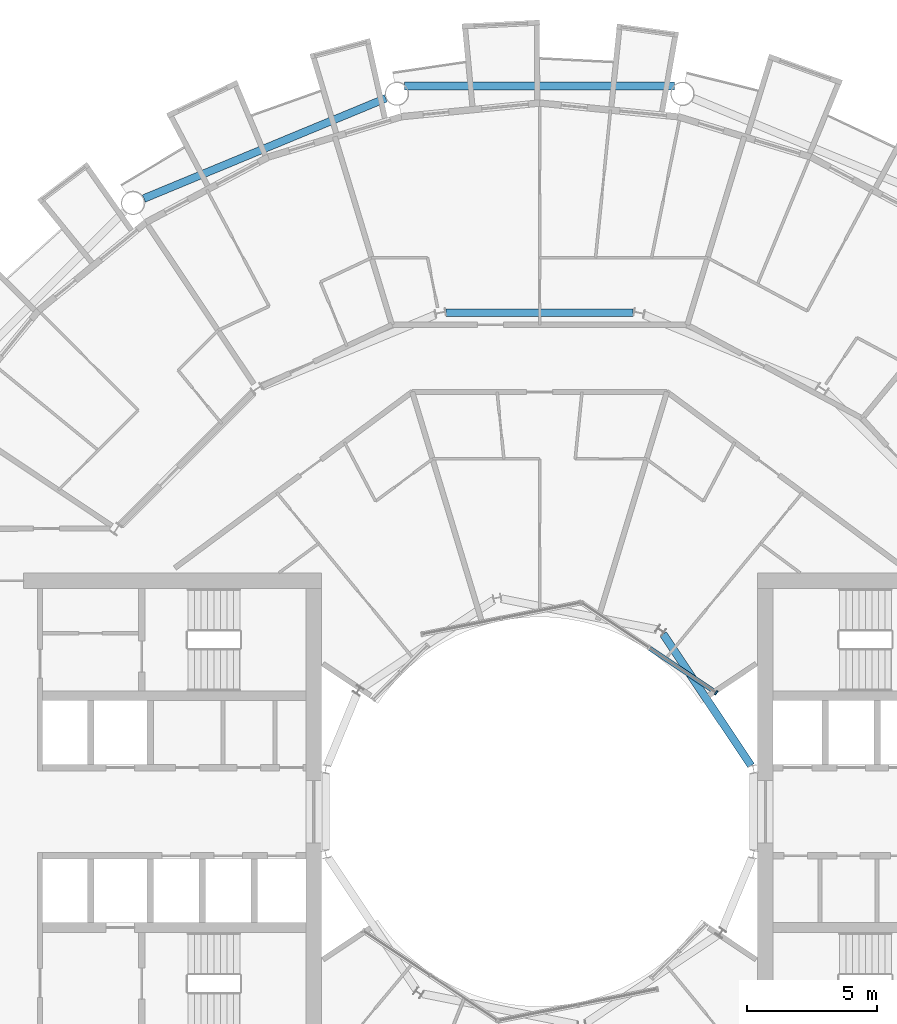
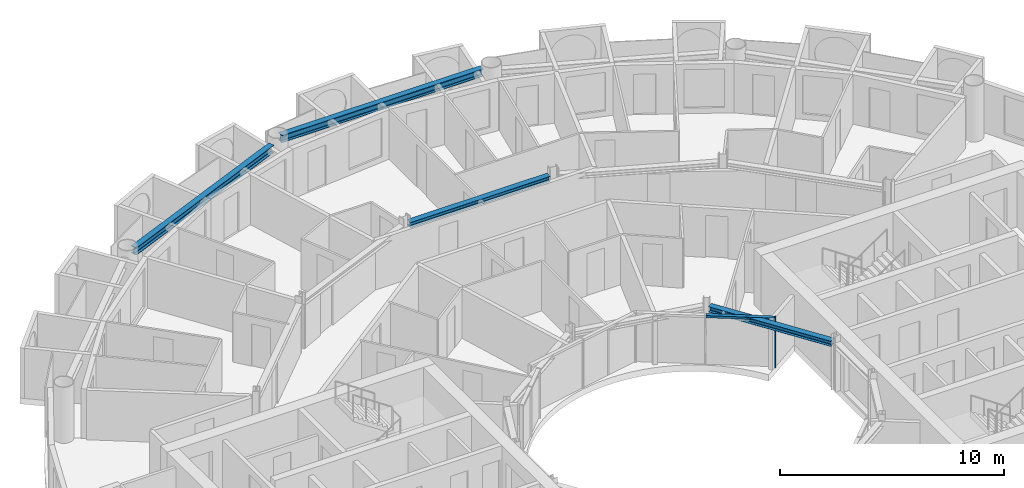
# One storey, part 9 of 27: 4 beams, 2 members, 1 element without a shape of its own.
"""IFC4 building model written with IfcOpenShell, lengths in metres."""

import ifcopenshell
import ifcopenshell.guid

model = None  # the IFC model being written
_history = None  # IfcOwnerHistory: only IFC2X3 demands one
_inside = {}  # id of a spatial element -> (the spatial element, [elements in it])
_under = {}  # id of a project, library or spatial element -> (it, [spatial elements below it])
_declared = {}  # id of a project -> (the project, [libraries it declares])
_typed = {}  # id of a type object -> (the type object, [elements of that type])
_made_of = {}  # id of a material, layer set ... -> (it, [elements and type objects made of it])


def new_model(schema):
    """Start an empty IFC model of exactly this schema.

    Asked for "IFC4X3", IfcOpenShell would pick the latest addendum, in which some entities
    have other attributes; the version numbers below select the first issue.
    IFC2X3 requires an IfcOwnerHistory on every rooted entity: one is made here for all.
    """
    global model, _history
    if schema == "IFC4X3":
        model = ifcopenshell.file(schema_version=(4, 3, 0, 0))
    else:
        model = ifcopenshell.file(schema=schema)
    _inside.clear()
    _under.clear()
    _declared.clear()
    _typed.clear()
    _made_of.clear()
    _history = None
    if model.schema == "IFC2X3":
        org = make("IfcOrganization", Name="unknown")
        user = make(
            "IfcPersonAndOrganization",
            ThePerson=make("IfcPerson", FamilyName="unknown"),
            TheOrganization=org,
        )
        app = make(
            "IfcApplication",
            ApplicationDeveloper=org,
            Version="unknown",
            ApplicationFullName="unknown",
            ApplicationIdentifier="unknown",
        )
        _history = make(
            "IfcOwnerHistory",
            OwningUser=user,
            OwningApplication=app,
            ChangeAction="ADDED",
            CreationDate=0,
        )
    return model


def make(cls, **values):
    """One entity of the class cls with the attributes given. An attribute that is None is left unset."""
    return model.create_entity(
        cls, **{name: value for name, value in values.items() if value is not None}
    )


def rooted(cls, **values):
    """An entity with a GlobalId (a new one), such as an element, a storey or a relation."""
    return make(cls, GlobalId=ifcopenshell.guid.new(), OwnerHistory=_history, **values)


def si_unit(unit_type, name, prefix=None):
    """IfcSIUnit, for example si_unit("LENGTHUNIT", "METRE", prefix="MILLI")."""
    return make("IfcSIUnit", UnitType=unit_type, Prefix=prefix, Name=name)


def assignment(units):
    """IfcUnitAssignment: the units of a project."""
    return None if units is None else make("IfcUnitAssignment", Units=units)


def point(xyz):
    """IfcCartesianPoint."""
    return None if xyz is None else make("IfcCartesianPoint", Coordinates=xyz)


def direction(xyz):
    """IfcDirection."""
    return None if xyz is None else make("IfcDirection", DirectionRatios=xyz)


def frame(location, z_axis=None, x_axis=None):
    """IfcAxis2Placement3D, a coordinate frame: its origin and axes. An axis left out is left unset."""
    return make(
        "IfcAxis2Placement3D",
        Location=point(location),
        Axis=direction(z_axis),
        RefDirection=direction(x_axis),
    )


def frame_2d(location, x_axis=None):
    """IfcAxis2Placement2D, a coordinate frame in the plane: its origin and x axis."""
    return make(
        "IfcAxis2Placement2D", Location=point(location), RefDirection=direction(x_axis)
    )


def origin():
    """The frame at (0, 0, 0) with its axes left unset."""
    return frame((0.0, 0.0, 0.0))


def origin_2d():
    """The frame at (0, 0) in the plane with its x axis left unset."""
    return frame_2d((0.0, 0.0))


def place(relative_to, where):
    """IfcLocalPlacement: puts the frame where relative to a parent placement (None: the world)."""
    return make(
        "IfcLocalPlacement", PlacementRelTo=relative_to, RelativePlacement=where
    )


def context(
    kind, dimensions, precision=None, world=None, true_north=None, identifier=None
):
    """IfcGeometricRepresentationContext, for example the 3D "Model" context."""
    return make(
        "IfcGeometricRepresentationContext",
        ContextIdentifier=identifier,
        ContextType=kind,
        CoordinateSpaceDimension=dimensions,
        Precision=precision,
        WorldCoordinateSystem=world,
        TrueNorth=true_north,
    )


def subcontext(parent, identifier, kind, view, scale=None):
    """IfcGeometricRepresentationSubContext, for example "Body" below "Model"."""
    return make(
        "IfcGeometricRepresentationSubContext",
        ContextIdentifier=identifier,
        ContextType=kind,
        ParentContext=parent,
        TargetScale=scale,
        TargetView=view,
    )


def project(units=None, contexts=None):
    """IfcProject with its units and contexts."""
    return rooted(
        "IfcProject",
        Name="project",
        RepresentationContexts=contexts,
        UnitsInContext=assignment(units),
    )


def spatial(cls, under=None, at=None, **own):
    """A site, building, storey or space (cls), placed at a placement, below another one or the project."""
    s = rooted(cls, ObjectPlacement=at, **own)
    if under is not None:
        _under.setdefault(under.id(), (under, []))[1].append(s)
    return s


def profile(cls, at=None, kind="AREA", **sizes):
    """A parametric profile (cls). Its sizes go by their IFC names, for example OverallWidth=200.0."""
    return make(cls, ProfileType=kind, Position=at, **sizes)


def rectangle(**sizes):
    """IfcRectangleProfileDef."""
    return profile("IfcRectangleProfileDef", **sizes)


def i_section(**sizes):
    """IfcIShapeProfileDef."""
    return profile("IfcIShapeProfileDef", **sizes)


def extrude(swept, where, along, depth):
    """IfcExtrudedAreaSolid: the profile swept, set in the frame where, extruded along a direction by depth."""
    return make(
        "IfcExtrudedAreaSolid",
        SweptArea=swept,
        Position=where,
        ExtrudedDirection=direction(along),
        Depth=depth,
    )


def shape(context_of_items, identifier, shape_type, items):
    """IfcShapeRepresentation: the items that make up one representation, for example the "Body"."""
    return make(
        "IfcShapeRepresentation",
        ContextOfItems=context_of_items,
        RepresentationIdentifier=identifier,
        RepresentationType=shape_type,
        Items=items,
    )


def material(Name=None, Category=None):
    """IfcMaterial."""
    return make("IfcMaterial", Name=Name, Category=Category)


def layer(
    of_material, thickness, ventilated=None, Name=None, Category=None, Priority=None
):
    """IfcMaterialLayer: one layer of a wall or slab, of a material (None: an air gap)."""
    return make(
        "IfcMaterialLayer",
        Material=of_material,
        LayerThickness=thickness,
        IsVentilated=ventilated,
        Name=Name,
        Category=Category,
        Priority=Priority,
    )


def layer_set(layers, Name=None):
    """IfcMaterialLayerSet."""
    return make("IfcMaterialLayerSet", MaterialLayers=layers, LayerSetName=Name)


def material_profile(
    of_material, cross_section, Name=None, Category=None, Priority=None
):
    """IfcMaterialProfile: a cross section and its material."""
    return make(
        "IfcMaterialProfile",
        Name=Name,
        Material=of_material,
        Profile=cross_section,
        Priority=Priority,
        Category=Category,
    )


def profile_set(profiles, Name=None, composite=None):
    """IfcMaterialProfileSet."""
    return make(
        "IfcMaterialProfileSet",
        Name=Name,
        MaterialProfiles=profiles,
        CompositeProfile=composite,
    )


def made_of(thing, what):
    """Note that an element or type object is made of a material, layer set ...; save() writes the relation."""
    if what is not None:
        _made_of.setdefault(what.id(), (what, []))[1].append(thing)
    return thing


def type_object(cls, material=None, **own):
    """A type object (cls), such as IfcWallType, which elements share."""
    return made_of(rooted(cls, **own), material)


def element(
    cls,
    number,
    at=None,
    inside=None,
    cuts=None,
    type_object=None,
    material=None,
    context=None,
    identifier="Body",
    shape_type=None,
    held_by="IfcProductDefinitionShape",
    body=None,
    shapes=None,
    **own,
):
    """One element of the class cls, such as IfcWall. Its Tag is "e" and its number.

    at: its placement. inside: the storey or other place that contains it. cuts: it is an
    opening in that element (IfcRelVoidsElement). A single representation is given by context,
    identifier, shape_type and body (its items); several are given by shapes. held_by: the class
    of the entity that holds the representations. save() writes the other relations.
    """
    e = rooted(cls, Tag="e%d" % number, ObjectPlacement=at, **own)
    if body is not None:
        shapes = [shape(context, identifier, shape_type, body)]
    if shapes is not None:
        e.Representation = make(held_by, Representations=shapes)
    if inside is not None:
        _inside.setdefault(inside.id(), (inside, []))[1].append(e)
    if cuts is not None:
        rooted(
            "IfcRelVoidsElement", RelatingBuildingElement=cuts, RelatedOpeningElement=e
        )
    if type_object is not None:
        _typed.setdefault(type_object.id(), (type_object, []))[1].append(e)
    return made_of(e, material)


def aggregate(whole, parts):
    """IfcRelAggregates: a whole, such as a stair, and the parts it consists of."""
    return rooted("IfcRelAggregates", RelatingObject=whole, RelatedObjects=parts)


def save(model, path):
    """Write the relations noted so far, then the file.

    IfcRelAggregates (storeys below a building ...), IfcRelContainedInSpatialStructure (elements
    in a storey), IfcRelDefinesByType, IfcRelAssociatesMaterial and IfcRelDeclares: one each for
    every whole, place, type object, material and project.
    """
    for whole, parts in _under.values():
        aggregate(whole, parts)
    for where, things in _inside.values():
        rooted(
            "IfcRelContainedInSpatialStructure",
            RelatedElements=things,
            RelatingStructure=where,
        )
    for kind, things in _typed.values():
        rooted("IfcRelDefinesByType", RelatedObjects=things, RelatingType=kind)
    for what, things in _made_of.values():
        rooted("IfcRelAssociatesMaterial", RelatedObjects=things, RelatingMaterial=what)
    for by, libraries in _declared.values():
        rooted("IfcRelDeclares", RelatingContext=by, RelatedDefinitions=libraries)
    model.write(path)


model = new_model("IFC4")

# Units and contexts
model_context = context("Model", 3, precision=1e-05, world=origin(), true_north=direction((0.0, 1.0)))
body_context = subcontext(model_context, "Body", "Model", "MODEL_VIEW")
ifc_project = project(units=[si_unit("LENGTHUNIT", "METRE"), si_unit("AREAUNIT", "SQUARE_METRE"), si_unit("VOLUMEUNIT", "CUBIC_METRE"), si_unit("PLANEANGLEUNIT", "RADIAN"), si_unit("MASSUNIT", "GRAM", prefix="KILO")], contexts=[model_context])

# Site, building, storey
site_placement = place(None, origin())
site = spatial("IfcSite", under=ifc_project, at=site_placement, CompositionType="ELEMENT")
building_placement = place(site_placement, origin())
building = spatial("IfcBuilding", under=site, at=building_placement, Name="Maasbend Ring Residences", CompositionType="ELEMENT")
storey_placement = place(building_placement, frame((0.0, 0.0, 117.75)))
storey = spatial("IfcBuildingStorey", under=building, at=storey_placement, Name="L33", CompositionType="ELEMENT", Elevation=117.75)

# Curtain wall, members
ifc_material_1 = material(Name="Aluminium and clear glass", Category="aluminium")
ifc_layer = layer(ifc_material_1, 0.179931640625)
ifc_layer_set = layer_set([ifc_layer], Name="CW-W")
curtain_wall_type = type_object("IfcCurtainWallType", Name="CW-W", PredefinedType="NOTDEFINED", material=ifc_layer_set)
curtain_wall_placement = place(storey_placement, origin())
curtain_wall = element("IfcCurtainWall", 1, at=curtain_wall_placement, inside=storey, type_object=curtain_wall_type, Name="Well curtain wall N1", PredefinedType="NOTDEFINED")
ifc_material_2 = material(Name="Aluminium 6063-T6", Category="aluminium")
ifc_material_profile_1 = material_profile(ifc_material_2, rectangle(XDim=0.179931640625, YDim=0.06005859375, at=origin_2d()), Name="AL 180x60")
ifc_profile_set_1 = profile_set([ifc_material_profile_1], Name="Aluminium 6063-T6")
member_type_1 = type_object("IfcMemberType", Name="CWM-W", PredefinedType="MULLION", material=ifc_profile_set_1)
member_1_placement = place(storey_placement, frame((6.805908203125, 4.580810546875, 0.0), z_axis=(0.0, 0.0, 1.0), x_axis=(-0.55557023302, -0.831469612303, 0.0)))
member_1 = element("IfcMember", 2, at=member_1_placement, type_object=member_type_1, Name="Mullion well face", PredefinedType="MULLION", context=body_context, shape_type="SweptSolid", body=[
    extrude(rectangle(XDim=0.179931640625, YDim=0.06005859375, at=origin_2d()), origin(), (0.0, 0.0, 1.0), 2.699951171875),
])
ifc_material_3 = material(Name="Aluminium 6063-T6", Category="aluminium")
ifc_material_profile_2 = material_profile(ifc_material_3, rectangle(XDim=0.179931640625, YDim=0.1201171875, at=origin_2d()), Name="AL 180x120")
ifc_profile_set_2 = profile_set([ifc_material_profile_2], Name="Aluminium 6063-T6")
member_type_2 = type_object("IfcMemberType", Name="CWT-W", PredefinedType="USERDEFINED", material=ifc_profile_set_2)
member_2_placement = place(storey_placement, frame((6.781005859375, 4.59765625, 2.639892578125), z_axis=(-0.831496422459, 0.555530106689, 0.0), x_axis=(-0.555530106689, -0.831496422459, 0.0)))
member_2 = element("IfcMember", 3, at=member_2_placement, type_object=member_type_2, Name="Transom well face", ObjectType="TRANSOM", PredefinedType="USERDEFINED", context=body_context, shape_type="SweptSolid", body=[
    extrude(rectangle(XDim=0.179931640625, YDim=0.1201171875, at=origin_2d()), origin(), (0.0, 0.0, 1.0), 3.053955078125),
])
aggregate(curtain_wall, [member_1, member_2])

# Beams
ifc_material_4 = material(Name="Steel S355J2", Category="steel")
ifc_material_profile_3 = material_profile(ifc_material_4, i_section(OverallWidth=0.300048828125, OverallDepth=0.2900390625, WebThickness=0.008544921875, FlangeThickness=0.013916015625, FilletRadius=0.027099609375, at=origin_2d()), Name="HEA 300")
ifc_profile_set_3 = profile_set([ifc_material_profile_3], Name="Steel S355J2")
beam_type_1 = type_object("IfcBeamType", Name="Corridor ring beam HEA 300", PredefinedType="BEAM", material=ifc_profile_set_3)
beam_1_placement = place(storey_placement, frame((3.603515625, 19.223388671875, 2.554931640625), z_axis=(-1.0, 0.0, 0.0), x_axis=(0.0, -1.0, 0.0)))
element("IfcBeam", 4, at=beam_1_placement, inside=storey, type_object=beam_type_1, Name="Corridor ring beam", PredefinedType="BEAM", context=body_context, shape_type="SweptSolid", body=[
    extrude(i_section(OverallWidth=0.300048828125, OverallDepth=0.2900390625, WebThickness=0.008544921875, FlangeThickness=0.013916015625, FilletRadius=0.027099609375, at=origin_2d()), origin(), (0.0, 0.0, 1.0), 7.20703125),
])
ifc_material_5 = material(Name="Steel S355J2", Category="steel")
ifc_material_profile_4 = material_profile(ifc_material_5, i_section(OverallWidth=0.300048828125, OverallDepth=0.39990234375, WebThickness=0.013427734375, FlangeThickness=0.02392578125, FilletRadius=0.027099609375, at=origin_2d()), Name="HEB 400")
ifc_profile_set_4 = profile_set([ifc_material_profile_4], Name="Steel S355J2")
beam_type_2 = type_object("IfcBeamType", Name="Spandrel ring beam HEB 400", PredefinedType="SPANDREL", material=ifc_profile_set_4)
beam_2_placement = place(storey_placement, frame((5.194580078125, 27.9580078125, 2.5), z_axis=(-1.0, 0.0, 0.0), x_axis=(0.0, -1.0, 0.0)))
element("IfcBeam", 5, at=beam_2_placement, inside=storey, type_object=beam_type_2, Name="Spandrel ring beam", PredefinedType="SPANDREL", context=body_context, shape_type="SweptSolid", body=[
    extrude(i_section(OverallWidth=0.300048828125, OverallDepth=0.39990234375, WebThickness=0.013427734375, FlangeThickness=0.02392578125, FilletRadius=0.027099609375, at=origin_2d()), origin(), (0.0, 0.0, 1.0), 10.38916015625),
])
beam_3_placement = place(storey_placement, frame((-5.923583984375, 27.483154296875, 2.5), z_axis=(-0.92388529709, -0.382669515144, 0.0), x_axis=(0.382669515144, -0.92388529709, 0.0)))
element("IfcBeam", 6, at=beam_3_placement, inside=storey, type_object=beam_type_2, Name="Spandrel ring beam", PredefinedType="SPANDREL", context=body_context, shape_type="SweptSolid", body=[
    extrude(i_section(OverallWidth=0.300048828125, OverallDepth=0.39990234375, WebThickness=0.013427734375, FlangeThickness=0.02392578125, FilletRadius=0.027099609375, at=origin_2d()), origin(), (0.0, 0.0, 1.0), 10.089111328125),
])
ifc_material_6 = material(Name="Steel S355J2", Category="steel")
ifc_material_profile_5 = material_profile(ifc_material_6, i_section(OverallWidth=0.300048828125, OverallDepth=0.2900390625, WebThickness=0.008544921875, FlangeThickness=0.013916015625, FilletRadius=0.027099609375, at=origin_2d()), Name="HEA 300")
ifc_profile_set_5 = profile_set([ifc_material_profile_5], Name="Steel S355J2")
beam_type_3 = type_object("IfcBeamType", Name="Well edge beam HEA 300", PredefinedType="BEAM", material=ifc_profile_set_5)
beam_4_placement = place(storey_placement, frame((8.1484375, 1.773681640625, 2.554931640625), z_axis=(-0.555558236289, 0.831477628137, 0.0), x_axis=(-0.831477628137, -0.555558236289, 0.0)))
element("IfcBeam", 7, at=beam_4_placement, inside=storey, type_object=beam_type_3, Name="Well edge beam", PredefinedType="BEAM", context=body_context, shape_type="SweptSolid", body=[
    extrude(i_section(OverallWidth=0.300048828125, OverallDepth=0.2900390625, WebThickness=0.008544921875, FlangeThickness=0.013916015625, FilletRadius=0.027099609375, at=origin_2d()), origin(), (0.0, 0.0, 1.0), 6.1044921875),
])

save(model, "model.ifc")
